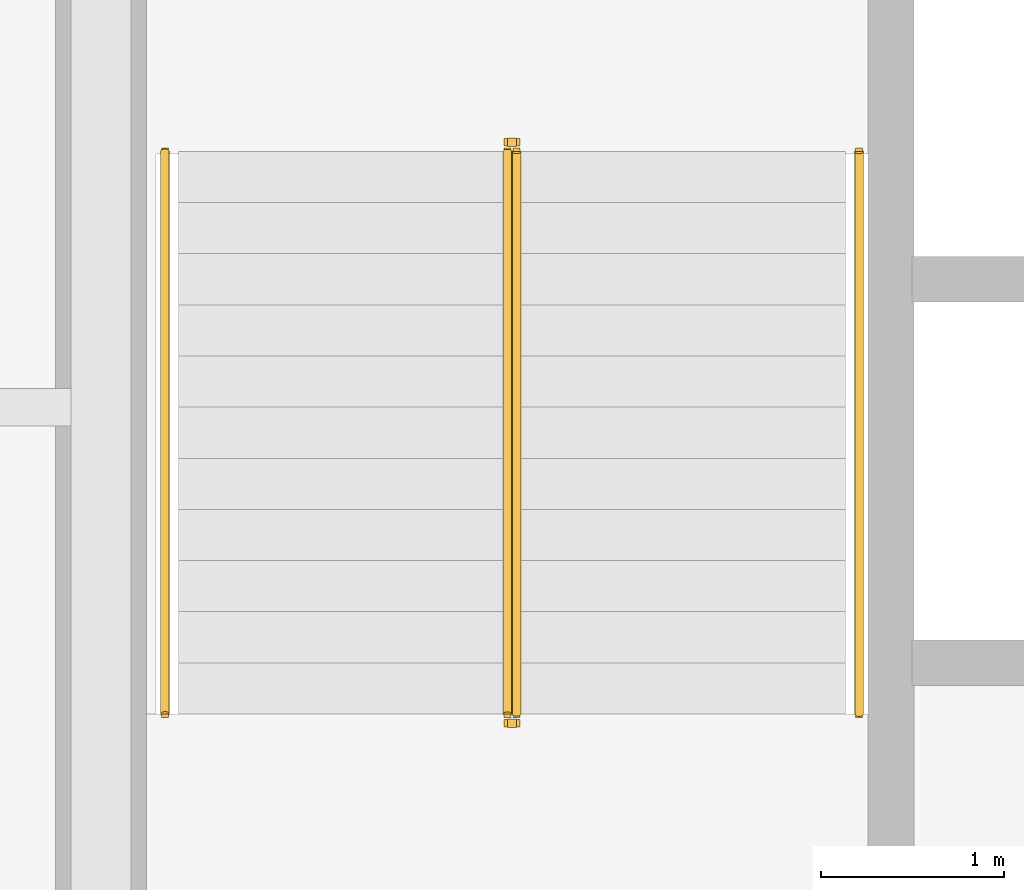
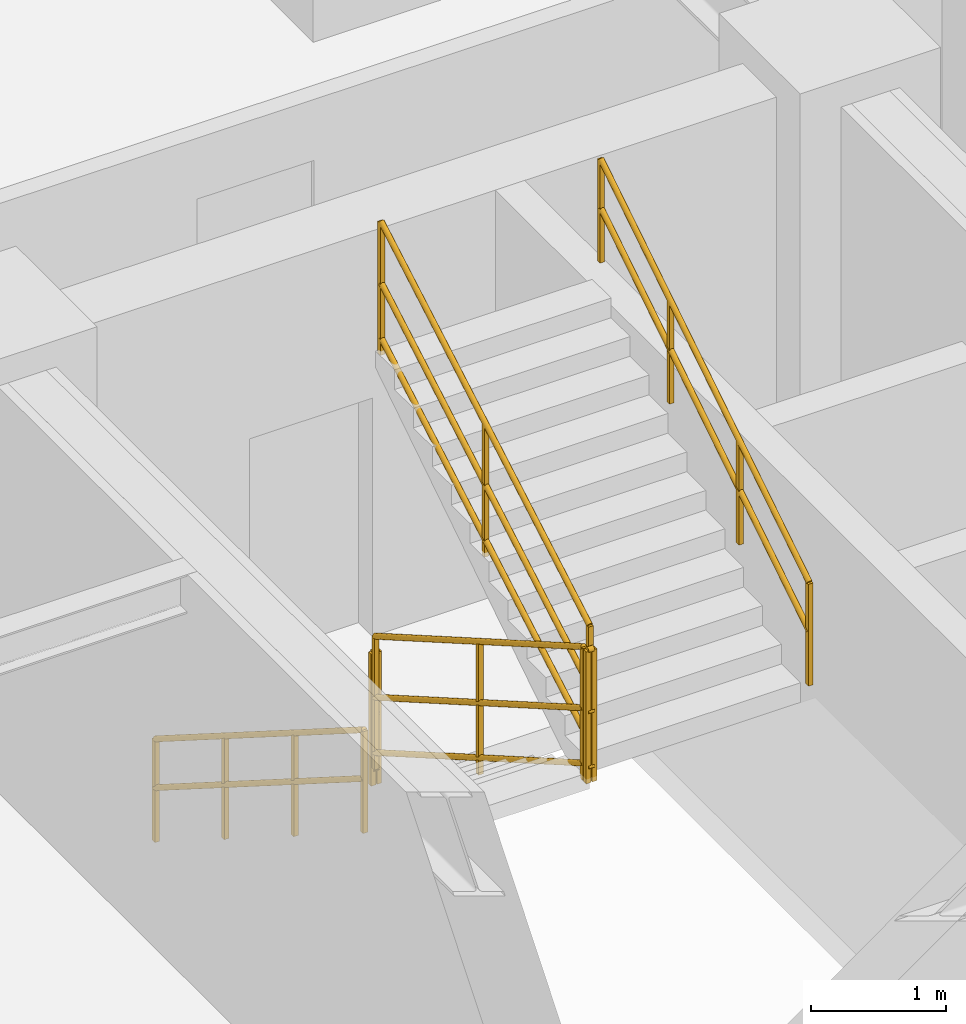
# One storey, part 8 of 8: 6 railings.
"""IFC4 building model written with IfcOpenShell, lengths in metres."""

import ifcopenshell
import ifcopenshell.guid

model = None  # the IFC model being written
_history = None  # IfcOwnerHistory: only IFC2X3 demands one
_inside = {}  # id of a spatial element -> (the spatial element, [elements in it])
_under = {}  # id of a project, library or spatial element -> (it, [spatial elements below it])
_declared = {}  # id of a project -> (the project, [libraries it declares])
_typed = {}  # id of a type object -> (the type object, [elements of that type])
_made_of = {}  # id of a material, layer set ... -> (it, [elements and type objects made of it])


def new_model(schema):
    """Start an empty IFC model of exactly this schema.

    Asked for "IFC4X3", IfcOpenShell would pick the latest addendum, in which some entities
    have other attributes; the version numbers below select the first issue.
    IFC2X3 requires an IfcOwnerHistory on every rooted entity: one is made here for all.
    """
    global model, _history
    if schema == "IFC4X3":
        model = ifcopenshell.file(schema_version=(4, 3, 0, 0))
    else:
        model = ifcopenshell.file(schema=schema)
    _inside.clear()
    _under.clear()
    _declared.clear()
    _typed.clear()
    _made_of.clear()
    _history = None
    if model.schema == "IFC2X3":
        org = make("IfcOrganization", Name="unknown")
        user = make(
            "IfcPersonAndOrganization",
            ThePerson=make("IfcPerson", FamilyName="unknown"),
            TheOrganization=org,
        )
        app = make(
            "IfcApplication",
            ApplicationDeveloper=org,
            Version="unknown",
            ApplicationFullName="unknown",
            ApplicationIdentifier="unknown",
        )
        _history = make(
            "IfcOwnerHistory",
            OwningUser=user,
            OwningApplication=app,
            ChangeAction="ADDED",
            CreationDate=0,
        )
    return model


def make(cls, **values):
    """One entity of the class cls with the attributes given. An attribute that is None is left unset."""
    return model.create_entity(
        cls, **{name: value for name, value in values.items() if value is not None}
    )


def entity(cls, *values):
    """Any entity or typed value of the class cls, its attributes in the order of the schema. None: left unset."""
    e = model.create_entity(cls)
    for i, value in enumerate(values):
        if value is not None:
            e[i] = value
    return e


def rooted(cls, **values):
    """An entity with a GlobalId (a new one), such as an element, a storey or a relation."""
    return make(cls, GlobalId=ifcopenshell.guid.new(), OwnerHistory=_history, **values)


def si_unit(unit_type, name, prefix=None):
    """IfcSIUnit, for example si_unit("LENGTHUNIT", "METRE", prefix="MILLI")."""
    return make("IfcSIUnit", UnitType=unit_type, Prefix=prefix, Name=name)


def converted_unit(unit_type, name, factor, base, dimensions=None, offset=None):
    """IfcConversionBasedUnit, such as the inch: factor (a typed value) times the base unit."""
    return make(
        "IfcConversionBasedUnit"
        if offset is None
        else "IfcConversionBasedUnitWithOffset",
        ConversionOffset=offset,
        Dimensions=None
        if dimensions is None
        else entity("IfcDimensionalExponents", *dimensions),
        UnitType=unit_type,
        Name=name,
        ConversionFactor=make(
            "IfcMeasureWithUnit", ValueComponent=factor, UnitComponent=base
        ),
    )


def assignment(units):
    """IfcUnitAssignment: the units of a project."""
    return None if units is None else make("IfcUnitAssignment", Units=units)


def point(xyz):
    """IfcCartesianPoint."""
    return None if xyz is None else make("IfcCartesianPoint", Coordinates=xyz)


def direction(xyz):
    """IfcDirection."""
    return None if xyz is None else make("IfcDirection", DirectionRatios=xyz)


def frame(location, z_axis=None, x_axis=None):
    """IfcAxis2Placement3D, a coordinate frame: its origin and axes. An axis left out is left unset."""
    return make(
        "IfcAxis2Placement3D",
        Location=point(location),
        Axis=direction(z_axis),
        RefDirection=direction(x_axis),
    )


def frame_2d(location, x_axis=None):
    """IfcAxis2Placement2D, a coordinate frame in the plane: its origin and x axis."""
    return make(
        "IfcAxis2Placement2D", Location=point(location), RefDirection=direction(x_axis)
    )


def origin_with_axes():
    """The frame at (0, 0, 0) with the z axis (0, 0, 1) and the x axis (1, 0, 0) written out."""
    return frame((0.0, 0.0, 0.0), z_axis=(0.0, 0.0, 1.0), x_axis=(1.0, 0.0, 0.0))


def origin_2d_with_axis():
    """The frame at (0, 0) in the plane with the x axis (1, 0) written out."""
    return frame_2d((0.0, 0.0), x_axis=(1.0, 0.0))


def place(relative_to, where):
    """IfcLocalPlacement: puts the frame where relative to a parent placement (None: the world)."""
    return make(
        "IfcLocalPlacement", PlacementRelTo=relative_to, RelativePlacement=where
    )


def context(
    kind, dimensions, precision=None, world=None, true_north=None, identifier=None
):
    """IfcGeometricRepresentationContext, for example the 3D "Model" context."""
    return make(
        "IfcGeometricRepresentationContext",
        ContextIdentifier=identifier,
        ContextType=kind,
        CoordinateSpaceDimension=dimensions,
        Precision=precision,
        WorldCoordinateSystem=world,
        TrueNorth=true_north,
    )


def subcontext(parent, identifier, kind, view, scale=None):
    """IfcGeometricRepresentationSubContext, for example "Body" below "Model"."""
    return make(
        "IfcGeometricRepresentationSubContext",
        ContextIdentifier=identifier,
        ContextType=kind,
        ParentContext=parent,
        TargetScale=scale,
        TargetView=view,
    )


def project(units=None, contexts=None):
    """IfcProject with its units and contexts."""
    return rooted(
        "IfcProject",
        Name="project",
        RepresentationContexts=contexts,
        UnitsInContext=assignment(units),
    )


def spatial(cls, under=None, at=None, **own):
    """A site, building, storey or space (cls), placed at a placement, below another one or the project."""
    s = rooted(cls, ObjectPlacement=at, **own)
    if under is not None:
        _under.setdefault(under.id(), (under, []))[1].append(s)
    return s


def profile(cls, at=None, kind="AREA", **sizes):
    """A parametric profile (cls). Its sizes go by their IFC names, for example OverallWidth=200.0."""
    return make(cls, ProfileType=kind, Position=at, **sizes)


def rectangle(**sizes):
    """IfcRectangleProfileDef."""
    return profile("IfcRectangleProfileDef", **sizes)


def circle(**sizes):
    """IfcCircleProfileDef."""
    return profile("IfcCircleProfileDef", **sizes)


def extrude(swept, where, along, depth):
    """IfcExtrudedAreaSolid: the profile swept, set in the frame where, extruded along a direction by depth."""
    return make(
        "IfcExtrudedAreaSolid",
        SweptArea=swept,
        Position=where,
        ExtrudedDirection=direction(along),
        Depth=depth,
    )


def shape(context_of_items, identifier, shape_type, items):
    """IfcShapeRepresentation: the items that make up one representation, for example the "Body"."""
    return make(
        "IfcShapeRepresentation",
        ContextOfItems=context_of_items,
        RepresentationIdentifier=identifier,
        RepresentationType=shape_type,
        Items=items,
    )


def material(Name=None, Category=None):
    """IfcMaterial."""
    return make("IfcMaterial", Name=Name, Category=Category)


def made_of(thing, what):
    """Note that an element or type object is made of a material, layer set ...; save() writes the relation."""
    if what is not None:
        _made_of.setdefault(what.id(), (what, []))[1].append(thing)
    return thing


def type_object(cls, material=None, **own):
    """A type object (cls), such as IfcWallType, which elements share."""
    return made_of(rooted(cls, **own), material)


def element(
    cls,
    number,
    at=None,
    inside=None,
    cuts=None,
    type_object=None,
    material=None,
    context=None,
    identifier="Body",
    shape_type=None,
    held_by="IfcProductDefinitionShape",
    body=None,
    shapes=None,
    **own,
):
    """One element of the class cls, such as IfcWall. Its Tag is "e" and its number.

    at: its placement. inside: the storey or other place that contains it. cuts: it is an
    opening in that element (IfcRelVoidsElement). A single representation is given by context,
    identifier, shape_type and body (its items); several are given by shapes. held_by: the class
    of the entity that holds the representations. save() writes the other relations.
    """
    e = rooted(cls, Tag="e%d" % number, ObjectPlacement=at, **own)
    if body is not None:
        shapes = [shape(context, identifier, shape_type, body)]
    if shapes is not None:
        e.Representation = make(held_by, Representations=shapes)
    if inside is not None:
        _inside.setdefault(inside.id(), (inside, []))[1].append(e)
    if cuts is not None:
        rooted(
            "IfcRelVoidsElement", RelatingBuildingElement=cuts, RelatedOpeningElement=e
        )
    if type_object is not None:
        _typed.setdefault(type_object.id(), (type_object, []))[1].append(e)
    return made_of(e, material)


def aggregate(whole, parts):
    """IfcRelAggregates: a whole, such as a stair, and the parts it consists of."""
    return rooted("IfcRelAggregates", RelatingObject=whole, RelatedObjects=parts)


def save(model, path):
    """Write the relations noted so far, then the file.

    IfcRelAggregates (storeys below a building ...), IfcRelContainedInSpatialStructure (elements
    in a storey), IfcRelDefinesByType, IfcRelAssociatesMaterial and IfcRelDeclares: one each for
    every whole, place, type object, material and project.
    """
    for whole, parts in _under.values():
        aggregate(whole, parts)
    for where, things in _inside.values():
        rooted(
            "IfcRelContainedInSpatialStructure",
            RelatedElements=things,
            RelatingStructure=where,
        )
    for kind, things in _typed.values():
        rooted("IfcRelDefinesByType", RelatedObjects=things, RelatingType=kind)
    for what, things in _made_of.values():
        rooted("IfcRelAssociatesMaterial", RelatedObjects=things, RelatingMaterial=what)
    for by, libraries in _declared.values():
        rooted("IfcRelDeclares", RelatingContext=by, RelatedDefinitions=libraries)
    model.write(path)


model = new_model("IFC4")

# Units and contexts
model_context = context("Model", 3, precision=1e-05, world=origin_with_axes(), true_north=direction((0.0, 1.0)))
body_context = subcontext(model_context, "Body", "Model", "MODEL_VIEW")
ifc_project = project(units=[si_unit("LENGTHUNIT", "METRE"), si_unit("AREAUNIT", "SQUARE_METRE"), si_unit("VOLUMEUNIT", "CUBIC_METRE"), converted_unit("PLANEANGLEUNIT", "DEGREE", entity("IfcPlaneAngleMeasure", 0.017453292519943295), si_unit("PLANEANGLEUNIT", "RADIAN"), dimensions=[0, 0, 0, 0, 0, 0, 0]), si_unit("MASSUNIT", "GRAM", prefix="KILO"), si_unit("THERMODYNAMICTEMPERATUREUNIT", "KELVIN")], contexts=[model_context])

# Site, building, storey
site_placement = place(None, origin_with_axes())
site = spatial("IfcSite", under=ifc_project, at=site_placement, CompositionType="ELEMENT")
building_placement = place(site_placement, origin_with_axes())
building = spatial("IfcBuilding", under=site, at=building_placement, Name="Varnlund Millrace Tower", CompositionType="ELEMENT")
storey_placement = place(building_placement, frame((0.0, 0.0, 89.1), z_axis=(0.0, 0.0, 1.0), x_axis=(1.0, 0.0, 0.0)))
storey = spatial("IfcBuildingStorey", under=building, at=storey_placement, Name="L21", CompositionType="ELEMENT", Elevation=89.1)

# Railings
ifc_material_1 = material(Name="Painted steel stair well balustrade guard", Category="steel")
railing_type_1 = type_object("IfcRailingType", Name="Type-StairGuard-1150", PredefinedType="GUARDRAIL", material=ifc_material_1)
railing_1_placement = place(storey_placement, frame((0.0, 0.0, -89.1), z_axis=(0.0, 0.0, 1.0), x_axis=(1.0, 0.0, 0.0)))
element("IfcRailing", 1, at=railing_1_placement, inside=storey, type_object=railing_type_1, Name="Type-StairGuard-1150", PredefinedType="GUARDRAIL", context=body_context, shape_type="SweptSolid", body=[
    extrude(circle(Radius=0.024, at=origin_2d_with_axis()), frame((13.625, 35.9, 90.427273), z_axis=(0.0, -0.866696, 0.498836), x_axis=(1.0, 0.0, 0.0)), (0.0, 0.0, 1.0), 3.553725),
    extrude(circle(Radius=0.024, at=origin_2d_with_axis()), frame((13.625, 35.9, 89.377273), z_axis=(0.0, -0.866696, 0.498836), x_axis=(1.0, 0.0, 0.0)), (0.0, 0.0, 1.0), 3.553725),
    extrude(circle(Radius=0.024, at=origin_2d_with_axis()), frame((13.625, 35.9, 89.875273), z_axis=(0.0, -0.866696, 0.498836), x_axis=(1.0, 0.0, 0.0)), (0.0, 0.0, 1.0), 3.553725),
    extrude(rectangle(XDim=0.04, YDim=0.04, at=origin_2d_with_axis()), frame((13.625, 35.9, 89.237273), z_axis=(0.0, 0.0, 1.0), x_axis=(1.0, 0.0, 0.0)), (0.0, 0.0, 1.0), 1.19),
    extrude(rectangle(XDim=0.04, YDim=0.04, at=origin_2d_with_axis()), frame((13.625, 34.36, 90.123636), z_axis=(0.0, 0.0, 1.0), x_axis=(1.0, 0.0, 0.0)), (0.0, 0.0, 1.0), 1.19),
    extrude(rectangle(XDim=0.04, YDim=0.04, at=origin_2d_with_axis()), frame((13.625, 32.82, 91.01), z_axis=(0.0, 0.0, 1.0), x_axis=(1.0, 0.0, 0.0)), (0.0, 0.0, 1.0), 1.19),
])
railing_2_placement = place(storey_placement, frame((0.0, 0.0, -89.1), z_axis=(0.0, 0.0, 1.0), x_axis=(1.0, 0.0, 0.0)))
element("IfcRailing", 2, at=railing_2_placement, inside=storey, type_object=railing_type_1, Name="Type-StairGuard-1150", PredefinedType="GUARDRAIL", context=body_context, shape_type="SweptSolid", body=[
    extrude(circle(Radius=0.024, at=origin_2d_with_axis()), frame((13.675, 32.77, 92.2), z_axis=(-1.0, 0.0, 0.0), x_axis=(0.0, -1.0, 0.0)), (0.0, 0.0, 1.0), 0.05),
    extrude(circle(Radius=0.024, at=origin_2d_with_axis()), frame((13.675, 32.77, 91.15), z_axis=(-1.0, 0.0, 0.0), x_axis=(0.0, -1.0, 0.0)), (0.0, 0.0, 1.0), 0.05),
    extrude(circle(Radius=0.024, at=origin_2d_with_axis()), frame((13.675, 32.77, 91.648), z_axis=(-1.0, 0.0, 0.0), x_axis=(0.0, -1.0, 0.0)), (0.0, 0.0, 1.0), 0.05),
    extrude(rectangle(XDim=0.04, YDim=0.04, at=origin_2d_with_axis()), frame((13.675, 32.77, 91.01), z_axis=(0.0, 0.0, 1.0), x_axis=(1.0, 0.0, 0.0)), (0.0, 0.0, 1.0), 1.19),
    extrude(rectangle(XDim=0.04, YDim=0.04, at=origin_2d_with_axis()), frame((13.625, 32.77, 91.01), z_axis=(0.0, 0.0, 1.0), x_axis=(1.0, 0.0, 0.0)), (0.0, 0.0, 1.0), 1.19),
])
railing_3_placement = place(storey_placement, frame((0.0, 0.0, -89.1), z_axis=(0.0, 0.0, 1.0), x_axis=(1.0, 0.0, 0.0)))
element("IfcRailing", 3, at=railing_3_placement, inside=storey, type_object=railing_type_1, Name="Type-StairGuard-1150", PredefinedType="GUARDRAIL", context=body_context, shape_type="SweptSolid", body=[
    extrude(circle(Radius=0.024, at=origin_2d_with_axis()), frame((13.675, 32.82, 92.377273), z_axis=(0.0, 0.866696, 0.498836), x_axis=(-1.0, 0.0, 0.0)), (0.0, 0.0, 1.0), 3.553725),
    extrude(circle(Radius=0.024, at=origin_2d_with_axis()), frame((13.675, 32.82, 91.327273), z_axis=(0.0, 0.866696, 0.498836), x_axis=(-1.0, 0.0, 0.0)), (0.0, 0.0, 1.0), 3.553725),
    extrude(circle(Radius=0.024, at=origin_2d_with_axis()), frame((13.675, 32.82, 91.825273), z_axis=(0.0, 0.866696, 0.498836), x_axis=(-1.0, 0.0, 0.0)), (0.0, 0.0, 1.0), 3.553725),
    extrude(rectangle(XDim=0.04, YDim=0.04, at=origin_2d_with_axis()), frame((13.675, 32.82, 91.187273), z_axis=(0.0, 0.0, 1.0), x_axis=(1.0, 0.0, 0.0)), (0.0, 0.0, 1.0), 1.19),
    extrude(rectangle(XDim=0.04, YDim=0.04, at=origin_2d_with_axis()), frame((13.675, 34.36, 92.073636), z_axis=(0.0, 0.0, 1.0), x_axis=(1.0, 0.0, 0.0)), (0.0, 0.0, 1.0), 1.19),
    extrude(rectangle(XDim=0.04, YDim=0.04, at=origin_2d_with_axis()), frame((13.675, 35.9, 92.96), z_axis=(0.0, 0.0, 1.0), x_axis=(1.0, 0.0, 0.0)), (0.0, 0.0, 1.0), 1.19),
])
railing_4_placement = place(storey_placement, frame((0.0, 0.0, -89.1), z_axis=(0.0, 0.0, 1.0), x_axis=(1.0, 0.0, 0.0)))
element("IfcRailing", 4, at=railing_4_placement, inside=storey, type_object=railing_type_1, Name="Type-StairGuard-1150", PredefinedType="GUARDRAIL", context=body_context, shape_type="SweptSolid", body=[
    extrude(circle(Radius=0.024, at=origin_2d_with_axis()), frame((13.675, 35.95, 90.25), z_axis=(-1.0, 0.0, 0.0), x_axis=(0.0, -1.0, 0.0)), (0.0, 0.0, 1.0), 0.05),
    extrude(circle(Radius=0.024, at=origin_2d_with_axis()), frame((13.675, 35.95, 89.2), z_axis=(-1.0, 0.0, 0.0), x_axis=(0.0, -1.0, 0.0)), (0.0, 0.0, 1.0), 0.05),
    extrude(circle(Radius=0.024, at=origin_2d_with_axis()), frame((13.675, 35.95, 89.698), z_axis=(-1.0, 0.0, 0.0), x_axis=(0.0, -1.0, 0.0)), (0.0, 0.0, 1.0), 0.05),
    extrude(rectangle(XDim=0.04, YDim=0.04, at=origin_2d_with_axis()), frame((13.675, 35.95, 89.06), z_axis=(0.0, 0.0, 1.0), x_axis=(1.0, 0.0, 0.0)), (0.0, 0.0, 1.0), 1.19),
    extrude(rectangle(XDim=0.04, YDim=0.04, at=origin_2d_with_axis()), frame((13.625, 35.95, 89.06), z_axis=(0.0, 0.0, 1.0), x_axis=(1.0, 0.0, 0.0)), (0.0, 0.0, 1.0), 1.19),
])
ifc_material_2 = material(Name="Brushed architectural bronze stair handrail", Category="aluminium")
railing_type_2 = type_object("IfcRailingType", Name="Type-StairHandrail-900", PredefinedType="HANDRAIL", material=ifc_material_2)
railing_5_placement = place(storey_placement, frame((0.0, 0.0, -89.1), z_axis=(0.0, 0.0, 1.0), x_axis=(1.0, 0.0, 0.0)))
element("IfcRailing", 5, at=railing_5_placement, inside=storey, type_object=railing_type_2, Name="Type-StairHandrail-900", PredefinedType="HANDRAIL", context=body_context, shape_type="SweptSolid", body=[
    extrude(circle(Radius=0.024, at=origin_2d_with_axis()), frame((11.75, 35.9, 90.156995), z_axis=(0.0, -0.844902, 0.534922), x_axis=(1.0, 0.0, 0.0)), (0.0, 0.0, 1.0), 3.645394),
    extrude(circle(Radius=0.024, at=origin_2d_with_axis()), frame((11.75, 35.9, 89.717134), z_axis=(0.0, -0.844902, 0.534922), x_axis=(1.0, 0.0, 0.0)), (0.0, 0.0, 1.0), 3.645394),
    extrude(rectangle(XDim=0.04, YDim=0.04, at=origin_2d_with_axis()), frame((11.75, 35.9, 89.237273), z_axis=(0.0, 0.0, 1.0), x_axis=(1.0, 0.0, 0.0)), (0.0, 0.0, 1.0), 0.919722),
    extrude(rectangle(XDim=0.04, YDim=0.04, at=origin_2d_with_axis()), frame((11.75, 34.873333, 89.887273), z_axis=(0.0, 0.0, 1.0), x_axis=(1.0, 0.0, 0.0)), (0.0, 0.0, 1.0), 0.919722),
    extrude(rectangle(XDim=0.04, YDim=0.04, at=origin_2d_with_axis()), frame((11.75, 33.846667, 90.537273), z_axis=(0.0, 0.0, 1.0), x_axis=(1.0, 0.0, 0.0)), (0.0, 0.0, 1.0), 0.919722),
    extrude(rectangle(XDim=0.04, YDim=0.04, at=origin_2d_with_axis()), frame((11.75, 32.82, 91.187273), z_axis=(0.0, 0.0, 1.0), x_axis=(1.0, 0.0, 0.0)), (0.0, 0.0, 1.0), 0.919722),
])
railing_6_placement = place(storey_placement, frame((0.0, 0.0, -89.1), z_axis=(0.0, 0.0, 1.0), x_axis=(1.0, 0.0, 0.0)))
element("IfcRailing", 6, at=railing_6_placement, inside=storey, type_object=railing_type_2, Name="Type-StairHandrail-900", PredefinedType="HANDRAIL", context=body_context, shape_type="SweptSolid", body=[
    extrude(circle(Radius=0.024, at=origin_2d_with_axis()), frame((15.55, 32.82, 92.106995), z_axis=(0.0, 0.844902, 0.534922), x_axis=(-1.0, 0.0, 0.0)), (0.0, 0.0, 1.0), 3.645394),
    extrude(circle(Radius=0.024, at=origin_2d_with_axis()), frame((15.55, 32.82, 91.667134), z_axis=(0.0, 0.844902, 0.534922), x_axis=(-1.0, 0.0, 0.0)), (0.0, 0.0, 1.0), 3.645394),
    extrude(rectangle(XDim=0.04, YDim=0.04, at=origin_2d_with_axis()), frame((15.55, 32.82, 91.187273), z_axis=(0.0, 0.0, 1.0), x_axis=(1.0, 0.0, 0.0)), (0.0, 0.0, 1.0), 0.919722),
    extrude(rectangle(XDim=0.04, YDim=0.04, at=origin_2d_with_axis()), frame((15.55, 33.846667, 91.837273), z_axis=(0.0, 0.0, 1.0), x_axis=(1.0, 0.0, 0.0)), (0.0, 0.0, 1.0), 0.919722),
    extrude(rectangle(XDim=0.04, YDim=0.04, at=origin_2d_with_axis()), frame((15.55, 34.873333, 92.487273), z_axis=(0.0, 0.0, 1.0), x_axis=(1.0, 0.0, 0.0)), (0.0, 0.0, 1.0), 0.919722),
    extrude(rectangle(XDim=0.04, YDim=0.04, at=origin_2d_with_axis()), frame((15.55, 35.9, 93.137273), z_axis=(0.0, 0.0, 1.0), x_axis=(1.0, 0.0, 0.0)), (0.0, 0.0, 1.0), 0.919722),
])

save(model, "model.ifc")
